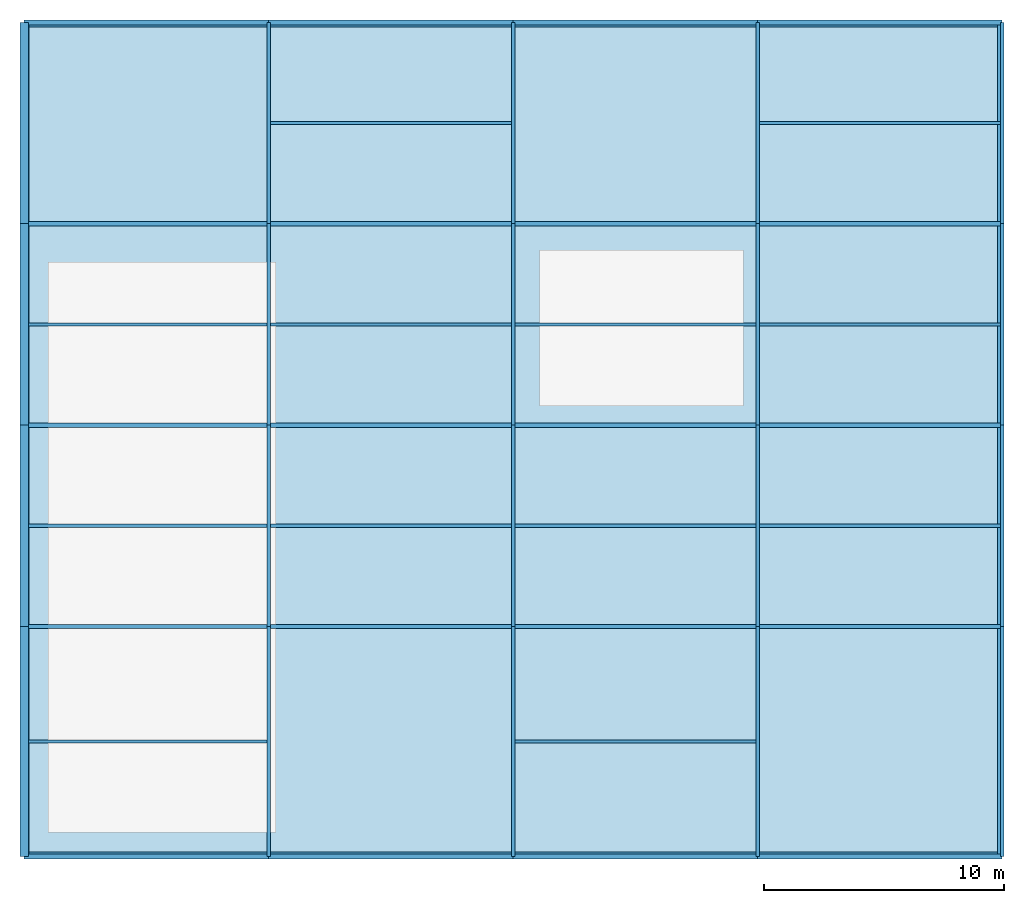
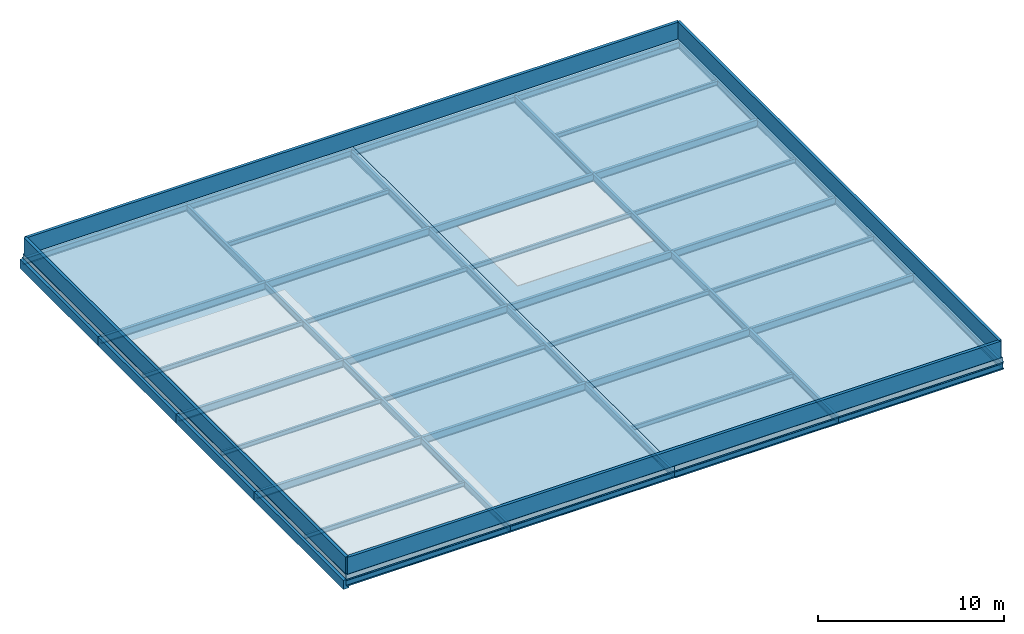
# One storey, part 1 of 2: 52 beams, 4 walls, 2 slabs.
"""IFC4 building model written with IfcOpenShell, lengths in metres."""

from ifc_helpers import new_model, si_unit, direction, frame, frame_2d, origin, origin_2d, place, context, subcontext, project, spatial, polyline, rectangle, i_section, outline, extrude, material, layer, layer_set, material_profile, profile_set, type_object, element, save


model = new_model("IFC4")

# Units and contexts
model_context = context("Model", 3, precision=1e-05, world=origin(), true_north=direction((0.0, 1.0)))
body_context = subcontext(model_context, "Body", "Model", "MODEL_VIEW")
ifc_project = project(units=[si_unit("LENGTHUNIT", "METRE"), si_unit("AREAUNIT", "SQUARE_METRE"), si_unit("VOLUMEUNIT", "CUBIC_METRE"), si_unit("PLANEANGLEUNIT", "RADIAN"), si_unit("MASSUNIT", "GRAM", prefix="KILO")], contexts=[model_context])

# Site, building, storey
site_placement = place(None, origin())
site = spatial("IfcSite", under=ifc_project, at=site_placement, CompositionType="ELEMENT")
building_placement = place(site_placement, origin())
building = spatial("IfcBuilding", under=site, at=building_placement, Name="Brelvane Convention Centre", CompositionType="ELEMENT")
storey_placement = place(building_placement, frame((0.0, 0.0, 27.60009765625)))
storey = spatial("IfcBuildingStorey", under=building, at=storey_placement, Name="RF", CompositionType="ELEMENT", Elevation=27.60009765625)

# Beams
ifc_material_1 = material(Name="Concrete M40", Category="concrete")
ifc_material_profile_1 = material_profile(ifc_material_1, rectangle(XDim=0.35009765625, YDim=0.60009765625, at=origin_2d()), Name="RC 350x600")
ifc_profile_set_1 = profile_set([ifc_material_profile_1], Name="Concrete M40")
beam_type_1 = type_object("IfcBeamType", Name="RC Beam B-RC8 (RC 350x600)", PredefinedType="BEAM", material=ifc_profile_set_1)
beam_1_placement = place(storey_placement, frame((0.0, 109.199951171875, -0.608154296875), z_axis=(0.0, 1.0, 0.0), x_axis=(-1.0, 0.0, 0.0)))
element("IfcBeam", 1, at=beam_1_placement, inside=storey, type_object=beam_type_1, Name="RF Girder 1/L-M", PredefinedType="BEAM", context=body_context, shape_type="SweptSolid", body=[
    extrude(rectangle(XDim=0.35009765625, YDim=0.60009765625, at=origin_2d()), origin(), (0.0, 0.0, 1.0), 9.60009765625),
])
beam_2_placement = place(storey_placement, frame((0.0, 118.800048828125, -0.608154296875), z_axis=(0.0, 1.0, 0.0), x_axis=(-1.0, 0.0, 0.0)))
element("IfcBeam", 2, at=beam_2_placement, inside=storey, type_object=beam_type_1, Name="RF Girder 1/M-N", PredefinedType="BEAM", context=body_context, shape_type="SweptSolid", body=[
    extrude(rectangle(XDim=0.35009765625, YDim=0.60009765625, at=origin_2d()), origin(), (0.0, 0.0, 1.0), 8.39990234375),
])
beam_3_placement = place(storey_placement, frame((0.0, 127.199951171875, -0.608154296875), z_axis=(0.0, 1.0, 0.0), x_axis=(-1.0, 0.0, 0.0)))
element("IfcBeam", 3, at=beam_3_placement, inside=storey, type_object=beam_type_1, Name="RF Girder 1/N-P", PredefinedType="BEAM", context=body_context, shape_type="SweptSolid", body=[
    extrude(rectangle(XDim=0.35009765625, YDim=0.60009765625, at=origin_2d()), origin(), (0.0, 0.0, 1.0), 8.400146484375),
])
beam_4_placement = place(storey_placement, frame((0.0, 135.60009765625, -0.608154296875), z_axis=(0.0, 1.0, 0.0), x_axis=(-1.0, 0.0, 0.0)))
element("IfcBeam", 4, at=beam_4_placement, inside=storey, type_object=beam_type_1, Name="RF Girder 1/P-Q", PredefinedType="BEAM", context=body_context, shape_type="SweptSolid", body=[
    extrude(rectangle(XDim=0.35009765625, YDim=0.60009765625, at=origin_2d()), origin(), (0.0, 0.0, 1.0), 8.39990234375),
])
ifc_material_2 = material(Name="Steel E350 (350 MPa)", Category="steel")
ifc_material_profile_2 = material_profile(ifc_material_2, i_section(OverallWidth=0.14990234375, OverallDepth=0.449951171875, WebThickness=0.009521484375, FlangeThickness=0.017333984375, FilletRadius=0.014892578125, at=origin_2d()), Name="ISMB 450")
ifc_profile_set_2 = profile_set([ifc_material_profile_2], Name="Steel E350 (350 MPa)")
beam_type_2 = type_object("IfcBeamType", Name="Steel Beam B-ST10 (ISMB 450)", PredefinedType="BEAM", material=ifc_profile_set_2)
beam_5_placement = place(storey_placement, frame((10.199951171875, 109.199951171875, -0.533203125), z_axis=(0.0, 1.0, 0.0), x_axis=(-1.0, 0.0, 0.0)))
element("IfcBeam", 5, at=beam_5_placement, inside=storey, type_object=beam_type_2, Name="RF Girder 2/L-M", PredefinedType="BEAM", context=body_context, shape_type="SweptSolid", body=[
    extrude(i_section(OverallWidth=0.14990234375, OverallDepth=0.449951171875, WebThickness=0.009521484375, FlangeThickness=0.017333984375, FilletRadius=0.014892578125, at=origin_2d()), origin(), (0.0, 0.0, 1.0), 9.60009765625),
])
beam_6_placement = place(storey_placement, frame((10.199951171875, 118.800048828125, -0.533203125), z_axis=(0.0, 1.0, 0.0), x_axis=(-1.0, 0.0, 0.0)))
element("IfcBeam", 6, at=beam_6_placement, inside=storey, type_object=beam_type_2, Name="RF Girder 2/M-N", PredefinedType="BEAM", context=body_context, shape_type="SweptSolid", body=[
    extrude(i_section(OverallWidth=0.14990234375, OverallDepth=0.449951171875, WebThickness=0.009521484375, FlangeThickness=0.017333984375, FilletRadius=0.014892578125, at=origin_2d()), origin(), (0.0, 0.0, 1.0), 8.39990234375),
])
beam_7_placement = place(storey_placement, frame((10.199951171875, 127.199951171875, -0.533203125), z_axis=(0.0, 1.0, 0.0), x_axis=(-1.0, 0.0, 0.0)))
element("IfcBeam", 7, at=beam_7_placement, inside=storey, type_object=beam_type_2, Name="RF Girder 2/N-P", PredefinedType="BEAM", context=body_context, shape_type="SweptSolid", body=[
    extrude(i_section(OverallWidth=0.14990234375, OverallDepth=0.449951171875, WebThickness=0.009521484375, FlangeThickness=0.017333984375, FilletRadius=0.014892578125, at=origin_2d()), origin(), (0.0, 0.0, 1.0), 8.400146484375),
])
beam_8_placement = place(storey_placement, frame((10.199951171875, 135.60009765625, -0.533203125), z_axis=(0.0, 1.0, 0.0), x_axis=(-1.0, 0.0, 0.0)))
element("IfcBeam", 8, at=beam_8_placement, inside=storey, type_object=beam_type_2, Name="RF Girder 2/P-Q", PredefinedType="BEAM", context=body_context, shape_type="SweptSolid", body=[
    extrude(i_section(OverallWidth=0.14990234375, OverallDepth=0.449951171875, WebThickness=0.009521484375, FlangeThickness=0.017333984375, FilletRadius=0.014892578125, at=origin_2d()), origin(), (0.0, 0.0, 1.0), 8.39990234375),
])
beam_9_placement = place(storey_placement, frame((20.39990234375, 109.199951171875, -0.550048828125), z_axis=(0.0, 1.0, 0.0), x_axis=(-1.0, 0.0, 0.0)))
element("IfcBeam", 9, at=beam_9_placement, inside=storey, type_object=beam_type_2, Name="RF Girder 3/L-M", PredefinedType="BEAM", context=body_context, shape_type="SweptSolid", body=[
    extrude(i_section(OverallWidth=0.14990234375, OverallDepth=0.449951171875, WebThickness=0.009521484375, FlangeThickness=0.017333984375, FilletRadius=0.014892578125, at=origin_2d()), origin(), (0.0, 0.0, 1.0), 9.60009765625),
])
beam_10_placement = place(storey_placement, frame((20.39990234375, 118.800048828125, -0.550048828125), z_axis=(0.0, 1.0, 0.0), x_axis=(-1.0, 0.0, 0.0)))
element("IfcBeam", 10, at=beam_10_placement, inside=storey, type_object=beam_type_2, Name="RF Girder 3/M-N", PredefinedType="BEAM", context=body_context, shape_type="SweptSolid", body=[
    extrude(i_section(OverallWidth=0.14990234375, OverallDepth=0.449951171875, WebThickness=0.009521484375, FlangeThickness=0.017333984375, FilletRadius=0.014892578125, at=origin_2d()), origin(), (0.0, 0.0, 1.0), 8.39990234375),
])
beam_11_placement = place(storey_placement, frame((20.39990234375, 127.199951171875, -0.550048828125), z_axis=(0.0, 1.0, 0.0), x_axis=(-1.0, 0.0, 0.0)))
element("IfcBeam", 11, at=beam_11_placement, inside=storey, type_object=beam_type_2, Name="RF Girder 3/N-P", PredefinedType="BEAM", context=body_context, shape_type="SweptSolid", body=[
    extrude(i_section(OverallWidth=0.14990234375, OverallDepth=0.449951171875, WebThickness=0.009521484375, FlangeThickness=0.017333984375, FilletRadius=0.014892578125, at=origin_2d()), origin(), (0.0, 0.0, 1.0), 8.400146484375),
])
beam_12_placement = place(storey_placement, frame((20.39990234375, 135.60009765625, -0.550048828125), z_axis=(0.0, 1.0, 0.0), x_axis=(-1.0, 0.0, 0.0)))
element("IfcBeam", 12, at=beam_12_placement, inside=storey, type_object=beam_type_2, Name="RF Girder 3/P-Q", PredefinedType="BEAM", context=body_context, shape_type="SweptSolid", body=[
    extrude(i_section(OverallWidth=0.14990234375, OverallDepth=0.449951171875, WebThickness=0.009521484375, FlangeThickness=0.017333984375, FilletRadius=0.014892578125, at=origin_2d()), origin(), (0.0, 0.0, 1.0), 8.39990234375),
])
beam_13_placement = place(storey_placement, frame((30.60009765625, 109.199951171875, -0.550048828125), z_axis=(0.0, 1.0, 0.0), x_axis=(-1.0, 0.0, 0.0)))
element("IfcBeam", 13, at=beam_13_placement, inside=storey, type_object=beam_type_2, Name="RF Girder 4/L-M", PredefinedType="BEAM", context=body_context, shape_type="SweptSolid", body=[
    extrude(i_section(OverallWidth=0.14990234375, OverallDepth=0.449951171875, WebThickness=0.009521484375, FlangeThickness=0.017333984375, FilletRadius=0.014892578125, at=origin_2d()), origin(), (0.0, 0.0, 1.0), 9.60009765625),
])
beam_14_placement = place(storey_placement, frame((30.60009765625, 118.800048828125, -0.550048828125), z_axis=(0.0, 1.0, 0.0), x_axis=(-1.0, 0.0, 0.0)))
element("IfcBeam", 14, at=beam_14_placement, inside=storey, type_object=beam_type_2, Name="RF Girder 4/M-N", PredefinedType="BEAM", context=body_context, shape_type="SweptSolid", body=[
    extrude(i_section(OverallWidth=0.14990234375, OverallDepth=0.449951171875, WebThickness=0.009521484375, FlangeThickness=0.017333984375, FilletRadius=0.014892578125, at=origin_2d()), origin(), (0.0, 0.0, 1.0), 8.39990234375),
])
beam_15_placement = place(storey_placement, frame((30.60009765625, 127.199951171875, -0.550048828125), z_axis=(0.0, 1.0, 0.0), x_axis=(-1.0, 0.0, 0.0)))
element("IfcBeam", 15, at=beam_15_placement, inside=storey, type_object=beam_type_2, Name="RF Girder 4/N-P", PredefinedType="BEAM", context=body_context, shape_type="SweptSolid", body=[
    extrude(i_section(OverallWidth=0.14990234375, OverallDepth=0.449951171875, WebThickness=0.009521484375, FlangeThickness=0.017333984375, FilletRadius=0.014892578125, at=origin_2d()), origin(), (0.0, 0.0, 1.0), 8.400146484375),
])
beam_16_placement = place(storey_placement, frame((30.60009765625, 135.60009765625, -0.550048828125), z_axis=(0.0, 1.0, 0.0), x_axis=(-1.0, 0.0, 0.0)))
element("IfcBeam", 16, at=beam_16_placement, inside=storey, type_object=beam_type_2, Name="RF Girder 4/P-Q", PredefinedType="BEAM", context=body_context, shape_type="SweptSolid", body=[
    extrude(i_section(OverallWidth=0.14990234375, OverallDepth=0.449951171875, WebThickness=0.009521484375, FlangeThickness=0.017333984375, FilletRadius=0.014892578125, at=origin_2d()), origin(), (0.0, 0.0, 1.0), 8.39990234375),
])
beam_17_placement = place(storey_placement, frame((40.800048828125, 109.199951171875, -0.550048828125), z_axis=(0.0, 1.0, 0.0), x_axis=(-1.0, 0.0, 0.0)))
element("IfcBeam", 17, at=beam_17_placement, inside=storey, type_object=beam_type_2, Name="RF Girder 5/L-M", PredefinedType="BEAM", context=body_context, shape_type="SweptSolid", body=[
    extrude(i_section(OverallWidth=0.14990234375, OverallDepth=0.449951171875, WebThickness=0.009521484375, FlangeThickness=0.017333984375, FilletRadius=0.014892578125, at=origin_2d()), origin(), (0.0, 0.0, 1.0), 9.60009765625),
])
beam_18_placement = place(storey_placement, frame((40.800048828125, 118.800048828125, -0.550048828125), z_axis=(0.0, 1.0, 0.0), x_axis=(-1.0, 0.0, 0.0)))
element("IfcBeam", 18, at=beam_18_placement, inside=storey, type_object=beam_type_2, Name="RF Girder 5/M-N", PredefinedType="BEAM", context=body_context, shape_type="SweptSolid", body=[
    extrude(i_section(OverallWidth=0.14990234375, OverallDepth=0.449951171875, WebThickness=0.009521484375, FlangeThickness=0.017333984375, FilletRadius=0.014892578125, at=origin_2d()), origin(), (0.0, 0.0, 1.0), 8.39990234375),
])
beam_19_placement = place(storey_placement, frame((40.800048828125, 127.199951171875, -0.550048828125), z_axis=(0.0, 1.0, 0.0), x_axis=(-1.0, 0.0, 0.0)))
element("IfcBeam", 19, at=beam_19_placement, inside=storey, type_object=beam_type_2, Name="RF Girder 5/N-P", PredefinedType="BEAM", context=body_context, shape_type="SweptSolid", body=[
    extrude(i_section(OverallWidth=0.14990234375, OverallDepth=0.449951171875, WebThickness=0.009521484375, FlangeThickness=0.017333984375, FilletRadius=0.014892578125, at=origin_2d()), origin(), (0.0, 0.0, 1.0), 8.400146484375),
])
beam_20_placement = place(storey_placement, frame((40.800048828125, 135.60009765625, -0.550048828125), z_axis=(0.0, 1.0, 0.0), x_axis=(-1.0, 0.0, 0.0)))
element("IfcBeam", 20, at=beam_20_placement, inside=storey, type_object=beam_type_2, Name="RF Girder 5/P-Q", PredefinedType="BEAM", context=body_context, shape_type="SweptSolid", body=[
    extrude(i_section(OverallWidth=0.14990234375, OverallDepth=0.449951171875, WebThickness=0.009521484375, FlangeThickness=0.017333984375, FilletRadius=0.014892578125, at=origin_2d()), origin(), (0.0, 0.0, 1.0), 8.39990234375),
])
ifc_material_3 = material(Name="Steel E350 (350 MPa)", Category="steel")
ifc_material_profile_3 = material_profile(ifc_material_3, i_section(OverallWidth=0.179931640625, OverallDepth=0.5, WebThickness=0.01025390625, FlangeThickness=0.01708984375, FilletRadius=0.01708984375, at=origin_2d()), Name="ISMB 500")
ifc_profile_set_3 = profile_set([ifc_material_profile_3], Name="Steel E350 (350 MPa)")
beam_type_3 = type_object("IfcBeamType", Name="Steel Beam B-ST9 (ISMB 500)", PredefinedType="BEAM", material=ifc_profile_set_3)
for number, where, z_axis, x_axis, name in (
    (21, (0.0, 118.800048828125, -0.55810546875), (1.0, 0.0, 0.0), (0.0, 1.0, 0.0), "RF Beam 1-2/M"),
    (22, (0.0, 127.199951171875, -0.55810546875), (1.0, 0.0, 0.0), (0.0, 1.0, 0.0), "RF Beam 1-2/N"),
    (23, (0.0, 135.60009765625, -0.55810546875), (1.0, 0.0, 0.0), (0.0, 1.0, 0.0), "RF Beam 1-2/P"),
    (24, (10.199951171875, 118.800048828125, -0.55810546875), (1.0, 0.0, 0.0), (0.0, 1.0, 0.0), "RF Beam 2-3/M"),
    (25, (10.199951171875, 127.199951171875, -0.55810546875), (1.0, 0.0, 0.0), (0.0, 1.0, 0.0), "RF Beam 2-3/N"),
    (26, (10.199951171875, 135.60009765625, -0.55810546875), (1.0, 0.0, 0.0), (0.0, 1.0, 0.0), "RF Beam 2-3/P"),
):
    element("IfcBeam", number, at=place(storey_placement, frame(where, z_axis=z_axis, x_axis=x_axis)), inside=storey, type_object=beam_type_3, Name=name, PredefinedType="BEAM", context=body_context, shape_type="SweptSolid", body=[
        extrude(i_section(OverallWidth=0.179931640625, OverallDepth=0.5, WebThickness=0.01025390625, FlangeThickness=0.01708984375, FilletRadius=0.01708984375, at=origin_2d()), origin(), (0.0, 0.0, 1.0), 10.199951171875),
    ])
for number, where, z_axis, x_axis, name in (
    (27, (20.39990234375, 118.800048828125, -0.5751953125), (1.0, 0.0, 0.0), (0.0, 1.0, 0.0), "RF Beam 3-4/M"),
    (28, (20.39990234375, 127.199951171875, -0.5751953125), (1.0, 0.0, 0.0), (0.0, 1.0, 0.0), "RF Beam 3-4/N"),
    (29, (20.39990234375, 135.60009765625, -0.5751953125), (1.0, 0.0, 0.0), (0.0, 1.0, 0.0), "RF Beam 3-4/P"),
):
    element("IfcBeam", number, at=place(storey_placement, frame(where, z_axis=z_axis, x_axis=x_axis)), inside=storey, type_object=beam_type_3, Name=name, PredefinedType="BEAM", context=body_context, shape_type="SweptSolid", body=[
        extrude(i_section(OverallWidth=0.179931640625, OverallDepth=0.5, WebThickness=0.01025390625, FlangeThickness=0.01708984375, FilletRadius=0.01708984375, at=origin_2d()), origin(), (0.0, 0.0, 1.0), 10.2001953125),
    ])
for number, where, z_axis, x_axis, name in (
    (30, (30.60009765625, 118.800048828125, -0.5751953125), (1.0, 0.0, 0.0), (0.0, 1.0, 0.0), "RF Beam 4-5/M"),
    (31, (30.60009765625, 127.199951171875, -0.5751953125), (1.0, 0.0, 0.0), (0.0, 1.0, 0.0), "RF Beam 4-5/N"),
    (32, (30.60009765625, 135.60009765625, -0.5751953125), (1.0, 0.0, 0.0), (0.0, 1.0, 0.0), "RF Beam 4-5/P"),
):
    element("IfcBeam", number, at=place(storey_placement, frame(where, z_axis=z_axis, x_axis=x_axis)), inside=storey, type_object=beam_type_3, Name=name, PredefinedType="BEAM", context=body_context, shape_type="SweptSolid", body=[
        extrude(i_section(OverallWidth=0.179931640625, OverallDepth=0.5, WebThickness=0.01025390625, FlangeThickness=0.01708984375, FilletRadius=0.01708984375, at=origin_2d()), origin(), (0.0, 0.0, 1.0), 10.199951171875),
    ])
ifc_material_4 = material(Name="Steel E350 (350 MPa)", Category="steel")
ifc_material_profile_4 = material_profile(ifc_material_4, i_section(OverallWidth=0.139892578125, OverallDepth=0.300048828125, WebThickness=0.0078125, FlangeThickness=0.01318359375, FilletRadius=0.013916015625, at=origin_2d()), Name="ISMB 300")
ifc_profile_set_4 = profile_set([ifc_material_profile_4], Name="Steel E350 (350 MPa)")
beam_type_4 = type_object("IfcBeamType", Name="Steel Joist J-ST3 (ISMB 300)", PredefinedType="JOIST", material=ifc_profile_set_4)
for number, where, z_axis, x_axis, name in (
    (33, (0.175048828125, 114.0, -0.4580078125), (1.0, 0.0, 0.0), (0.0, 1.0, 0.0), "RF Secondary Joist 1-2/LM"),
    (34, (0.175048828125, 123.0, -0.4580078125), (1.0, 0.0, 0.0), (0.0, 1.0, 0.0), "RF Secondary Joist 1-2/MN"),
    (35, (0.175048828125, 131.39990234375, -0.4580078125), (1.0, 0.0, 0.0), (0.0, 1.0, 0.0), "RF Secondary Joist 1-2/NP"),
):
    element("IfcBeam", number, at=place(storey_placement, frame(where, z_axis=z_axis, x_axis=x_axis)), inside=storey, type_object=beam_type_4, Name=name, PredefinedType="JOIST", context=body_context, shape_type="SweptSolid", body=[
        extrude(i_section(OverallWidth=0.139892578125, OverallDepth=0.300048828125, WebThickness=0.0078125, FlangeThickness=0.01318359375, FilletRadius=0.013916015625, at=origin_2d()), origin(), (0.0, 0.0, 1.0), 9.949951171875),
    ])
for number, where, z_axis, x_axis, name in (
    (36, (10.27490234375, 123.0, -0.4580078125), (1.0, 0.0, 0.0), (0.0, 1.0, 0.0), "RF Secondary Joist 2-3/MN"),
    (37, (10.27490234375, 131.39990234375, -0.4580078125), (1.0, 0.0, 0.0), (0.0, 1.0, 0.0), "RF Secondary Joist 2-3/NP"),
    (38, (10.27490234375, 139.800048828125, -0.4580078125), (1.0, 0.0, 0.0), (0.0, 1.0, 0.0), "RF Secondary Joist 2-3/PQ"),
):
    element("IfcBeam", number, at=place(storey_placement, frame(where, z_axis=z_axis, x_axis=x_axis)), inside=storey, type_object=beam_type_4, Name=name, PredefinedType="JOIST", context=body_context, shape_type="SweptSolid", body=[
        extrude(i_section(OverallWidth=0.139892578125, OverallDepth=0.300048828125, WebThickness=0.0078125, FlangeThickness=0.01318359375, FilletRadius=0.013916015625, at=origin_2d()), origin(), (0.0, 0.0, 1.0), 10.050048828125),
    ])
for number, where, z_axis, x_axis, name in (
    (39, (20.47509765625, 114.0, -0.47509765625), (1.0, 0.0, 0.0), (0.0, 1.0, 0.0), "RF Secondary Joist 3-4/LM"),
    (40, (20.47509765625, 123.0, -0.47509765625), (1.0, 0.0, 0.0), (0.0, 1.0, 0.0), "RF Secondary Joist 3-4/MN"),
    (41, (20.47509765625, 131.39990234375, -0.47509765625), (1.0, 0.0, 0.0), (0.0, 1.0, 0.0), "RF Secondary Joist 3-4/NP"),
):
    element("IfcBeam", number, at=place(storey_placement, frame(where, z_axis=z_axis, x_axis=x_axis)), inside=storey, type_object=beam_type_4, Name=name, PredefinedType="JOIST", context=body_context, shape_type="SweptSolid", body=[
        extrude(i_section(OverallWidth=0.139892578125, OverallDepth=0.300048828125, WebThickness=0.0078125, FlangeThickness=0.01318359375, FilletRadius=0.013916015625, at=origin_2d()), origin(), (0.0, 0.0, 1.0), 10.0498046875),
    ])
for number, where, z_axis, x_axis, name in (
    (42, (30.675048828125, 123.0, -0.47509765625), (1.0, 0.0, 0.0), (0.0, 1.0, 0.0), "RF Secondary Joist 4-5/MN"),
    (43, (30.675048828125, 131.39990234375, -0.47509765625), (1.0, 0.0, 0.0), (0.0, 1.0, 0.0), "RF Secondary Joist 4-5/NP"),
    (44, (30.675048828125, 139.800048828125, -0.47509765625), (1.0, 0.0, 0.0), (0.0, 1.0, 0.0), "RF Secondary Joist 4-5/PQ"),
):
    element("IfcBeam", number, at=place(storey_placement, frame(where, z_axis=z_axis, x_axis=x_axis)), inside=storey, type_object=beam_type_4, Name=name, PredefinedType="JOIST", context=body_context, shape_type="SweptSolid", body=[
        extrude(i_section(OverallWidth=0.139892578125, OverallDepth=0.300048828125, WebThickness=0.0078125, FlangeThickness=0.01318359375, FilletRadius=0.013916015625, at=origin_2d()), origin(), (0.0, 0.0, 1.0), 10.050048828125),
    ])
ifc_material_5 = material(Name="Steel E350 (350 MPa)", Category="steel")
ifc_material_profile_5 = material_profile(ifc_material_5, i_section(OverallWidth=0.199951171875, OverallDepth=0.39990234375, WebThickness=0.008544921875, FlangeThickness=0.012939453125, FilletRadius=0.013916015625, at=origin_2d()), Name="ISWB 400")
ifc_profile_set_5 = profile_set([ifc_material_profile_5], Name="Steel E350 (350 MPa)")
beam_type_5 = type_object("IfcBeamType", Name="Steel Spandrel SP-ST2 (ISWB 400)", PredefinedType="SPANDREL", material=ifc_profile_set_5)
for number, where, z_axis, x_axis, name in (
    (45, (0.0, 109.199951171875, -0.508056640625), (1.0, 0.0, 0.0), (0.0, 1.0, 0.0), "RF Beam 1-2/L"),
    (46, (0.0, 144.0, -0.508056640625), (1.0, 0.0, 0.0), (0.0, 1.0, 0.0), "RF Beam 1-2/Q"),
    (47, (10.199951171875, 109.199951171875, -0.508056640625), (1.0, 0.0, 0.0), (0.0, 1.0, 0.0), "RF Beam 2-3/L"),
    (48, (10.199951171875, 144.0, -0.508056640625), (1.0, 0.0, 0.0), (0.0, 1.0, 0.0), "RF Beam 2-3/Q"),
):
    element("IfcBeam", number, at=place(storey_placement, frame(where, z_axis=z_axis, x_axis=x_axis)), inside=storey, type_object=beam_type_5, Name=name, PredefinedType="SPANDREL", context=body_context, shape_type="SweptSolid", body=[
        extrude(i_section(OverallWidth=0.199951171875, OverallDepth=0.39990234375, WebThickness=0.008544921875, FlangeThickness=0.012939453125, FilletRadius=0.013916015625, at=origin_2d()), origin(), (0.0, 0.0, 1.0), 10.199951171875),
    ])
for number, where, z_axis, x_axis, name in (
    (49, (20.39990234375, 109.199951171875, -0.525146484375), (1.0, 0.0, 0.0), (0.0, 1.0, 0.0), "RF Beam 3-4/L"),
    (50, (20.39990234375, 144.0, -0.525146484375), (1.0, 0.0, 0.0), (0.0, 1.0, 0.0), "RF Beam 3-4/Q"),
):
    element("IfcBeam", number, at=place(storey_placement, frame(where, z_axis=z_axis, x_axis=x_axis)), inside=storey, type_object=beam_type_5, Name=name, PredefinedType="SPANDREL", context=body_context, shape_type="SweptSolid", body=[
        extrude(i_section(OverallWidth=0.199951171875, OverallDepth=0.39990234375, WebThickness=0.008544921875, FlangeThickness=0.012939453125, FilletRadius=0.013916015625, at=origin_2d()), origin(), (0.0, 0.0, 1.0), 10.2001953125),
    ])
for number, where, z_axis, x_axis, name in (
    (51, (30.60009765625, 109.199951171875, -0.525146484375), (1.0, 0.0, 0.0), (0.0, 1.0, 0.0), "RF Beam 4-5/L"),
    (52, (30.60009765625, 144.0, -0.525146484375), (1.0, 0.0, 0.0), (0.0, 1.0, 0.0), "RF Beam 4-5/Q"),
):
    element("IfcBeam", number, at=place(storey_placement, frame(where, z_axis=z_axis, x_axis=x_axis)), inside=storey, type_object=beam_type_5, Name=name, PredefinedType="SPANDREL", context=body_context, shape_type="SweptSolid", body=[
        extrude(i_section(OverallWidth=0.199951171875, OverallDepth=0.39990234375, WebThickness=0.008544921875, FlangeThickness=0.012939453125, FilletRadius=0.013916015625, at=origin_2d()), origin(), (0.0, 0.0, 1.0), 10.199951171875),
    ])

# Slabs
ifc_material_6 = material(Name="Concrete M40", Category="concrete")
ifc_layer_1 = layer(ifc_material_6, 0.30810546875)
ifc_layer_set_1 = layer_set([ifc_layer_1], Name="Concrete M40")
slab_type_1 = type_object("IfcSlabType", Name="Structural Slab SL-ROOF-308", PredefinedType="ROOF", material=ifc_layer_set_1)
slab_1_placement = place(storey_placement, frame((0.0, 0.0, -0.30810546875)))
element("IfcSlab", 53, at=slab_1_placement, inside=storey, type_object=slab_type_1, Name="RF TopRoofS Slab REAR-RF-W", PredefinedType="ROOF", context=body_context, shape_type="SweptSolid", body=[
    extrude(outline(polyline([(0.0, 109.199951171875), (20.39990234375, 109.199951171875), (20.39990234375, 144.0), (0.0, 144.0), (0.0, 109.199951171875)])), origin(), (0.0, 0.0, 1.0), 0.30810546875),
])
ifc_material_7 = material(Name="Concrete M40", Category="concrete")
ifc_layer_2 = layer(ifc_material_7, 0.324951171875)
ifc_layer_set_2 = layer_set([ifc_layer_2], Name="Concrete M40")
slab_type_2 = type_object("IfcSlabType", Name="Structural Slab SL-ROOF-325", PredefinedType="ROOF", material=ifc_layer_set_2)
slab_2_placement = place(storey_placement, frame((0.0, 0.0, -0.3251953125)))
element("IfcSlab", 54, at=slab_2_placement, inside=storey, type_object=slab_type_2, Name="RF TopRoofN Slab REAR-RF-E", PredefinedType="ROOF", context=body_context, shape_type="SweptSolid", body=[
    extrude(outline(polyline([(20.39990234375, 109.199951171875), (40.800048828125, 109.199951171875), (40.800048828125, 144.0), (20.39990234375, 144.0), (20.39990234375, 109.199951171875)])), origin(), (0.0, 0.0, 1.0), 0.3251953125),
])

# Walls
ifc_material_8 = material(Name="Concrete M40", Category="concrete")
ifc_layer_3 = layer(ifc_material_8, 0.179931640625)
ifc_layer_set_3 = layer_set([ifc_layer_3], Name="Concrete M40")
wall_type = type_object("IfcWallType", Name="Exterior Wall PW-02", PredefinedType="PARAPET", material=ifc_layer_set_3)
wall_1_placement = place(storey_placement, frame((0.10009765625, 109.300048828125, 0.0), z_axis=(0.0, 0.0, 1.0), x_axis=(1.0, 0.0, 0.0)))
element("IfcWall", 55, at=wall_1_placement, inside=storey, type_object=wall_type, Name="Roof Parapet RF-P01", PredefinedType="PARAPET", context=body_context, shape_type="SweptSolid", body=[
    extrude(rectangle(XDim=40.599853515625, YDim=0.179931640625, at=frame_2d((20.2998046875, 0.0))), origin(), (0.0, 0.0, 1.0), 1.099853515625),
])
wall_2_placement = place(storey_placement, frame((40.699951171875, 109.300048828125, 0.0), z_axis=(0.0, 0.0, 1.0), x_axis=(0.0, 1.0, 0.0)))
element("IfcWall", 56, at=wall_2_placement, inside=storey, type_object=wall_type, Name="Roof Parapet RF-P02", PredefinedType="PARAPET", context=body_context, shape_type="SweptSolid", body=[
    extrude(rectangle(XDim=34.599853515625, YDim=0.179931640625, at=frame_2d((17.2998046875, 0.0))), origin(), (0.0, 0.0, 1.0), 1.099853515625),
])
wall_3_placement = place(storey_placement, frame((40.699951171875, 143.89990234375, 0.0), z_axis=(0.0, 0.0, 1.0), x_axis=(-1.0, 0.0, 0.0)))
element("IfcWall", 57, at=wall_3_placement, inside=storey, type_object=wall_type, Name="Roof Parapet RF-P03", PredefinedType="PARAPET", context=body_context, shape_type="SweptSolid", body=[
    extrude(rectangle(XDim=40.599853515625, YDim=0.179931640625, at=frame_2d((20.2998046875, 0.0))), origin(), (0.0, 0.0, 1.0), 1.099853515625),
])
wall_4_placement = place(storey_placement, frame((0.10009765625, 143.89990234375, 0.0), z_axis=(0.0, 0.0, 1.0), x_axis=(0.0, -1.0, 0.0)))
element("IfcWall", 58, at=wall_4_placement, inside=storey, type_object=wall_type, Name="Roof Parapet RF-P04", PredefinedType="PARAPET", context=body_context, shape_type="SweptSolid", body=[
    extrude(rectangle(XDim=34.599853515625, YDim=0.179931640625, at=frame_2d((17.2998046875, 0.0))), origin(), (0.0, 0.0, 1.0), 1.099853515625),
])

save(model, "model.ifc")
